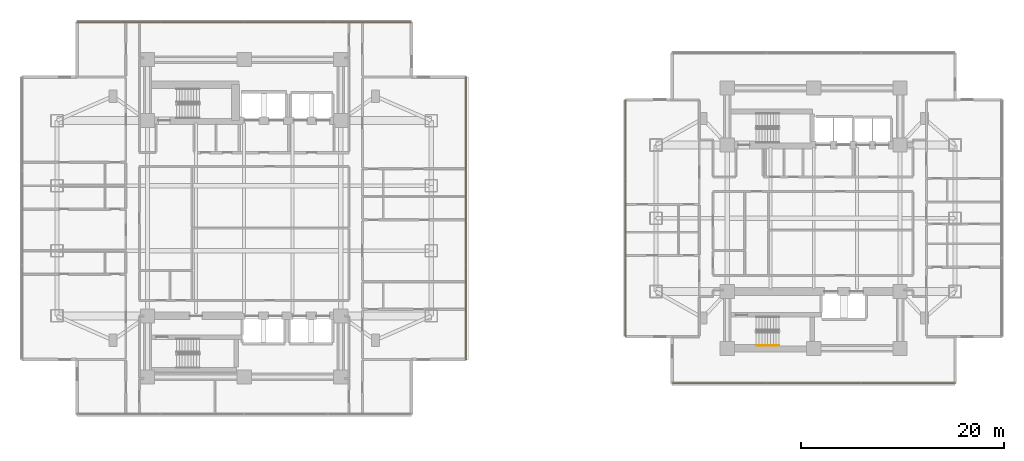
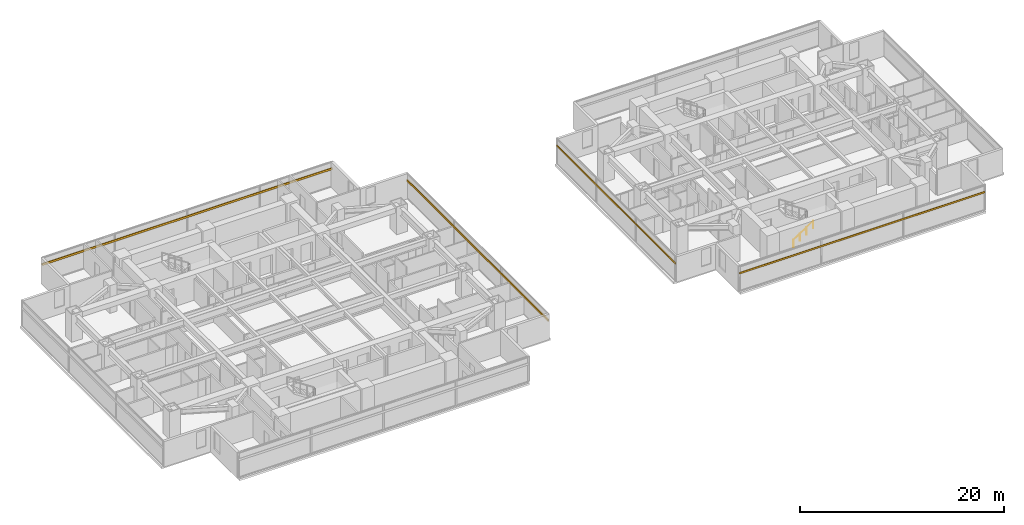
# One storey, part 23 of 25: 4 shading devices, 1 railing.
"""IFC4 building model written with IfcOpenShell, lengths in metres."""

from ifc_helpers import new_model, si_unit, direction, frame, origin, origin_2d, place, context, subcontext, project, spatial, rectangle, circle, extrude, material, material_profile, profile_set, type_object, element, save


model = new_model("IFC4")

# Units and contexts
model_context = context("Model", 3, precision=1e-05, world=origin(), true_north=direction((0.0, 1.0)))
body_context = subcontext(model_context, "Body", "Model", "MODEL_VIEW")
ifc_project = project(units=[si_unit("LENGTHUNIT", "METRE"), si_unit("AREAUNIT", "SQUARE_METRE"), si_unit("VOLUMEUNIT", "CUBIC_METRE"), si_unit("PLANEANGLEUNIT", "RADIAN"), si_unit("MASSUNIT", "GRAM", prefix="KILO")], contexts=[model_context])

# Site, building, storey
site_placement = place(None, origin())
site = spatial("IfcSite", under=ifc_project, at=site_placement, CompositionType="ELEMENT")
building_placement = place(site_placement, origin())
building = spatial("IfcBuilding", under=site, at=building_placement, Name="Mirazonda Arch Towers", CompositionType="ELEMENT")
storey_placement = place(building_placement, frame((0.0, 0.0, 32.300048828125)))
storey = spatial("IfcBuildingStorey", under=building, at=storey_placement, Name="L08", CompositionType="ELEMENT", Elevation=32.300048828125)

# Shading devices
ifc_material_1 = material(Name="Kiln-Fired Architectural Terracotta", Category="masonry")
ifc_material_profile_1 = material_profile(ifc_material_1, rectangle(XDim=0.1201171875, YDim=0.239990234375, at=origin_2d()), Name="TERRA-BAG-120x240")
ifc_profile_set_1 = profile_set([ifc_material_profile_1], Name="Kiln-Fired Architectural Terracotta")
shading_device_type_1 = type_object("IfcShadingDeviceType", Name="BAGUETTE-1", PredefinedType="USERDEFINED", material=ifc_profile_set_1)
shading_device_1_placement = place(storey_placement, frame((42.320068359375, 14.10595703125, 2.188720703125), z_axis=(0.0, 1.0, 0.0), x_axis=(-1.0, 0.0, 0.0)))
element("IfcShadingDevice", 1, at=shading_device_1_placement, inside=storey, type_object=shading_device_type_1, Name="L08 Glazed Terracotta Sun-Screen Baguette CW-L08-T1-E", ObjectType="BAGUETTE", PredefinedType="USERDEFINED", context=body_context, shape_type="SweptSolid", body=[
    extrude(rectangle(XDim=0.1201171875, YDim=0.239990234375, at=origin_2d()), origin(), (0.0, 0.0, 1.0), 27.7880859375),
])
shading_device_2_placement = place(storey_placement, frame((4.06005859375, 47.27392578125, 2.188720703125), z_axis=(1.0, 0.0, 0.0), x_axis=(0.0, 1.0, 0.0)))
element("IfcShadingDevice", 2, at=shading_device_2_placement, inside=storey, type_object=shading_device_type_1, Name="L08 Glazed Terracotta Sun-Screen Baguette CW-L08-T1-N", ObjectType="BAGUETTE", PredefinedType="USERDEFINED", context=body_context, shape_type="SweptSolid", body=[
    extrude(rectangle(XDim=0.1201171875, YDim=0.239990234375, at=origin_2d()), origin(), (0.0, 0.0, 1.0), 32.8798828125),
])
ifc_material_profile_2 = material_profile(ifc_material_1, rectangle(XDim=0.10009765625, YDim=0.199951171875, at=origin_2d()), Name="TERRA-BAG-100x200")
ifc_profile_set_2 = profile_set([ifc_material_profile_2], Name="Kiln-Fired Architectural Terracotta")
shading_device_type_2 = type_object("IfcShadingDeviceType", Name="BAGUETTE-2", PredefinedType="USERDEFINED", material=ifc_profile_set_2)
shading_device_3_placement = place(storey_placement, frame((90.4140625, 11.77001953125, 2.188720703125), z_axis=(-1.0, 0.0, 0.0), x_axis=(0.0, -1.0, 0.0)))
element("IfcShadingDevice", 3, at=shading_device_3_placement, inside=storey, type_object=shading_device_type_2, Name="L08 Glazed Terracotta Sun-Screen Baguette CW-L08-T2-S", ObjectType="BAGUETTE", PredefinedType="USERDEFINED", context=body_context, shape_type="SweptSolid", body=[
    extrude(rectangle(XDim=0.10009765625, YDim=0.199951171875, at=origin_2d()), origin(), (0.0, 0.0, 1.0), 27.828125),
])
shading_device_4_placement = place(storey_placement, frame((58.006103515625, 39.64990234375, 2.188720703125), z_axis=(0.0, -1.0, 0.0), x_axis=(1.0, 0.0, 0.0)))
element("IfcShadingDevice", 4, at=shading_device_4_placement, inside=storey, type_object=shading_device_type_2, Name="L08 Glazed Terracotta Sun-Screen Baguette CW-L08-T2-W", ObjectType="BAGUETTE", PredefinedType="USERDEFINED", context=body_context, shape_type="SweptSolid", body=[
    extrude(rectangle(XDim=0.10009765625, YDim=0.199951171875, at=origin_2d()), origin(), (0.0, 0.0, 1.0), 23.2998046875),
])

# Railing
ifc_material_2 = material(Name="Architectural Brushed Steel S355", Category="steel")
railing_type = type_object("IfcRailingType", Name="HANDRAIL-915", PredefinedType="HANDRAIL", material=ifc_material_2)
railing_placement = place(storey_placement, frame((70.85009765625, 15.469970703125, 0.183349609375)))
element("IfcRailing", 5, at=railing_placement, inside=storey, type_object=railing_type, Name="L08 ST-T2S stair handrail 1", PredefinedType="HANDRAIL", context=body_context, shape_type="SweptSolid", body=[
    extrude(circle(Radius=0.02392578125, at=origin_2d()), frame((0.0, 0.0, 0.8759765625), z_axis=(0.836636935527, 0.0, 0.547757827979), x_axis=(0.0, 1.0, 0.0)), (0.0, 0.0, 1.0), 2.677490234375),
    extrude(circle(Radius=0.02099609375, at=origin_2d()), origin(), (0.0, 0.0, 1.0), 0.851806640625),
    extrude(circle(Radius=0.02099609375, at=origin_2d()), frame((0.74658203125, 0.0, 0.48876953125)), (0.0, 0.0, 1.0), 0.851806640625),
    extrude(circle(Radius=0.02099609375, at=origin_2d()), frame((1.493408203125, 0.0, 0.977783203125)), (0.0, 0.0, 1.0), 0.851806640625),
    extrude(circle(Radius=0.02099609375, at=origin_2d()), frame((2.239990234375, 0.0, 1.466552734375)), (0.0, 0.0, 1.0), 0.851806640625),
])

save(model, "model.ifc")
